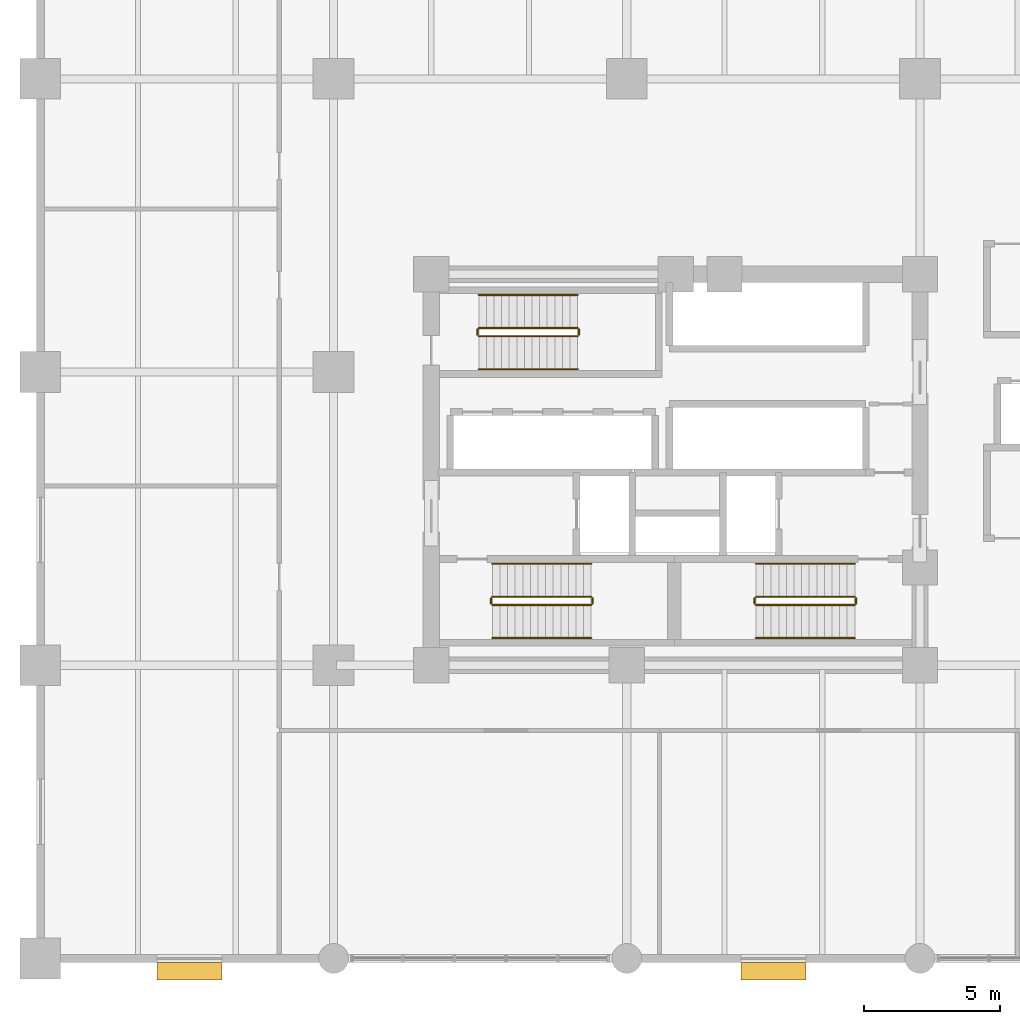
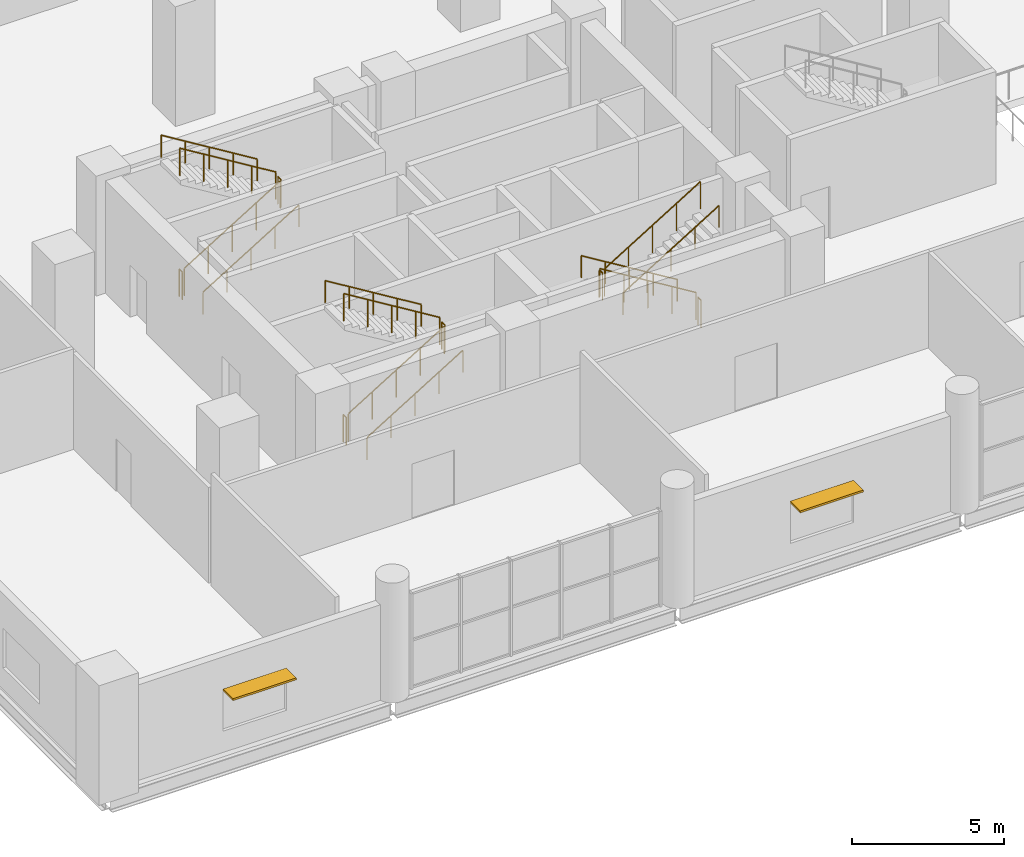
# One storey, part 14 of 16: 18 railings, 2 shading devices.
"""IFC4 building model written with IfcOpenShell, lengths in metres."""

from ifc_helpers import new_model, si_unit, direction, frame, origin, origin_2d, place, context, subcontext, project, spatial, rectangle, circle, extrude, material, layer, layer_set, type_object, element, save


model = new_model("IFC4")

# Units and contexts
model_context = context("Model", 3, precision=1e-05, world=origin(), true_north=direction((0.0, 1.0)))
body_context = subcontext(model_context, "Body", "Model", "MODEL_VIEW")
ifc_project = project(units=[si_unit("LENGTHUNIT", "METRE"), si_unit("AREAUNIT", "SQUARE_METRE"), si_unit("VOLUMEUNIT", "CUBIC_METRE"), si_unit("PLANEANGLEUNIT", "RADIAN"), si_unit("MASSUNIT", "GRAM", prefix="KILO")], contexts=[model_context])

# Site, building, storey
site_placement = place(None, origin())
site = spatial("IfcSite", under=ifc_project, at=site_placement, CompositionType="ELEMENT")
building_placement = place(site_placement, origin())
building = spatial("IfcBuilding", under=site, at=building_placement, Name="Solnavia Interchange Tower", CompositionType="ELEMENT")
storey_placement = place(building_placement, frame((0.0, 0.0, 5.39990234375)))
storey = spatial("IfcBuildingStorey", under=building, at=storey_placement, Name="L01", CompositionType="ELEMENT", Elevation=5.39990234375)

# Railings
ifc_material_1 = material(Name="Painted Steel Balustrade", Category="steel")
railing_type_1 = type_object("IfcRailingType", Name="Railing-StairGuard-1100", PredefinedType="GUARDRAIL", material=ifc_material_1)
railing_1_placement = place(storey_placement, frame((16.64990234375, 13.02001953125, 0.171630859375)))
element("IfcRailing", 1, at=railing_1_placement, inside=storey, type_object=railing_type_1, Name="L01 ST-1 stair guard 1", PredefinedType="GUARDRAIL", context=body_context, shape_type="SweptSolid", body=[
    extrude(circle(Radius=0.02392578125, at=origin_2d()), frame((0.0, 0.0, 1.09619140625), z_axis=(0.852865859571, 0.0, 0.52213008492), x_axis=(0.0, 1.0, 0.0)), (0.0, 0.0, 1.0), 4.26806640625),
    extrude(circle(Radius=0.02099609375, at=origin_2d()), origin(), (0.0, 0.0, 1.0), 1.072021484375),
    extrude(circle(Radius=0.02099609375, at=origin_2d()), frame((0.91015625, 0.0, 0.55712890625)), (0.0, 0.0, 1.0), 1.072021484375),
    extrude(circle(Radius=0.02099609375, at=origin_2d()), frame((1.820068359375, 0.0, 1.1142578125)), (0.0, 0.0, 1.0), 1.072021484375),
    extrude(circle(Radius=0.02099609375, at=origin_2d()), frame((2.72998046875, 0.0, 1.67138671875)), (0.0, 0.0, 1.0), 1.072021484375),
    extrude(circle(Radius=0.02099609375, at=origin_2d()), frame((3.64013671875, 0.0, 2.228515625)), (0.0, 0.0, 1.0), 1.072021484375),
])
railing_2_placement = place(storey_placement, frame((20.340087890625, 13.070068359375, 2.400146484375)))
element("IfcRailing", 2, at=railing_2_placement, inside=storey, type_object=railing_type_1, Name="L01 ST-1 stair guard 2", PredefinedType="GUARDRAIL", context=body_context, shape_type="SweptSolid", body=[
    extrude(circle(Radius=0.02392578125, at=origin_2d()), frame((0.0, 0.0, 1.09619140625), z_axis=(0.0, 1.0, 0.0), x_axis=(-1.0, 0.0, 0.0)), (0.0, 0.0, 1.0), 0.199951171875),
    extrude(circle(Radius=0.02099609375, at=origin_2d()), origin(), (0.0, 0.0, 1.0), 1.072021484375),
    extrude(circle(Radius=0.02099609375, at=origin_2d()), frame((0.0, 0.199951171875, 0.0)), (0.0, 0.0, 1.0), 1.072021484375),
])
railing_3_placement = place(storey_placement, frame((20.2900390625, 13.320068359375, 2.571533203125)))
element("IfcRailing", 3, at=railing_3_placement, inside=storey, type_object=railing_type_1, Name="L01 ST-1 stair guard 3", PredefinedType="GUARDRAIL", context=body_context, shape_type="SweptSolid", body=[
    extrude(circle(Radius=0.02392578125, at=origin_2d()), frame((0.0, 0.0, 1.09619140625), z_axis=(-0.852865859571, 0.0, 0.52213008492), x_axis=(0.0, -1.0, 0.0)), (0.0, 0.0, 1.0), 4.26806640625),
    extrude(circle(Radius=0.02099609375, at=origin_2d()), origin(), (0.0, 0.0, 1.0), 1.072021484375),
    extrude(circle(Radius=0.02099609375, at=origin_2d()), frame((-0.91015625, 0.0, 0.55712890625)), (0.0, 0.0, 1.0), 1.072021484375),
    extrude(circle(Radius=0.02099609375, at=origin_2d()), frame((-1.820068359375, 0.0, 1.1142578125)), (0.0, 0.0, 1.0), 1.072021484375),
    extrude(circle(Radius=0.02099609375, at=origin_2d()), frame((-2.72998046875, 0.0, 1.67138671875)), (0.0, 0.0, 1.0), 1.072021484375),
    extrude(circle(Radius=0.02099609375, at=origin_2d()), frame((-3.64013671875, 0.0, 2.228515625)), (0.0, 0.0, 1.0), 1.072021484375),
])
railing_4_placement = place(storey_placement, frame((16.60009765625, 13.070068359375, 0.0)))
element("IfcRailing", 4, at=railing_4_placement, inside=storey, type_object=railing_type_1, Name="L01 ST-1 stair guard 4", PredefinedType="GUARDRAIL", context=body_context, shape_type="SweptSolid", body=[
    extrude(circle(Radius=0.02392578125, at=origin_2d()), frame((0.0, 0.0, 1.09619140625), z_axis=(0.0, 1.0, 0.0), x_axis=(-1.0, 0.0, 0.0)), (0.0, 0.0, 1.0), 0.199951171875),
    extrude(circle(Radius=0.02099609375, at=origin_2d()), origin(), (0.0, 0.0, 1.0), 1.072021484375),
    extrude(circle(Radius=0.02099609375, at=origin_2d()), frame((0.0, 0.199951171875, 0.0)), (0.0, 0.0, 1.0), 1.072021484375),
])
railing_5_placement = place(storey_placement, frame((30.0, 13.320068359375, 0.171630859375)))
element("IfcRailing", 5, at=railing_5_placement, inside=storey, type_object=railing_type_1, Name="L01 ST-2 stair guard 1", PredefinedType="GUARDRAIL", context=body_context, shape_type="SweptSolid", body=[
    extrude(circle(Radius=0.02392578125, at=origin_2d()), frame((0.0, 0.0, 1.09619140625), z_axis=(-0.852850264322, 0.0, 0.5221555579), x_axis=(0.0, -1.0, 0.0)), (0.0, 0.0, 1.0), 4.267822265625),
    extrude(circle(Radius=0.02099609375, at=origin_2d()), origin(), (0.0, 0.0, 1.0), 1.072021484375),
    extrude(circle(Radius=0.02099609375, at=origin_2d()), frame((-0.909912109375, 0.0, 0.55712890625)), (0.0, 0.0, 1.0), 1.072021484375),
    extrude(circle(Radius=0.02099609375, at=origin_2d()), frame((-1.81982421875, 0.0, 1.1142578125)), (0.0, 0.0, 1.0), 1.072021484375),
    extrude(circle(Radius=0.02099609375, at=origin_2d()), frame((-2.72998046875, 0.0, 1.67138671875)), (0.0, 0.0, 1.0), 1.072021484375),
    extrude(circle(Radius=0.02099609375, at=origin_2d()), frame((-3.639892578125, 0.0, 2.228515625)), (0.0, 0.0, 1.0), 1.072021484375),
])
railing_6_placement = place(storey_placement, frame((26.31005859375, 13.27001953125, 2.400146484375)))
element("IfcRailing", 6, at=railing_6_placement, inside=storey, type_object=railing_type_1, Name="L01 ST-2 stair guard 2", PredefinedType="GUARDRAIL", context=body_context, shape_type="SweptSolid", body=[
    extrude(circle(Radius=0.02392578125, at=origin_2d()), frame((0.0, 0.0, 1.09619140625), z_axis=(0.0, -1.0, 0.0), x_axis=(1.0, 0.0, 0.0)), (0.0, 0.0, 1.0), 0.199951171875),
    extrude(circle(Radius=0.02099609375, at=origin_2d()), origin(), (0.0, 0.0, 1.0), 1.072021484375),
    extrude(circle(Radius=0.02099609375, at=origin_2d()), frame((0.0, -0.199951171875, 0.0)), (0.0, 0.0, 1.0), 1.072021484375),
])
railing_7_placement = place(storey_placement, frame((26.360107421875, 13.02001953125, 2.571533203125)))
element("IfcRailing", 7, at=railing_7_placement, inside=storey, type_object=railing_type_1, Name="L01 ST-2 stair guard 3", PredefinedType="GUARDRAIL", context=body_context, shape_type="SweptSolid", body=[
    extrude(circle(Radius=0.02392578125, at=origin_2d()), frame((0.0, 0.0, 1.09619140625), z_axis=(0.852850264322, 0.0, 0.5221555579), x_axis=(0.0, 1.0, 0.0)), (0.0, 0.0, 1.0), 4.267822265625),
    extrude(circle(Radius=0.02099609375, at=origin_2d()), origin(), (0.0, 0.0, 1.0), 1.072021484375),
    extrude(circle(Radius=0.02099609375, at=origin_2d()), frame((0.909912109375, 0.0, 0.55712890625)), (0.0, 0.0, 1.0), 1.072021484375),
    extrude(circle(Radius=0.02099609375, at=origin_2d()), frame((1.81982421875, 0.0, 1.1142578125)), (0.0, 0.0, 1.0), 1.072021484375),
    extrude(circle(Radius=0.02099609375, at=origin_2d()), frame((2.72998046875, 0.0, 1.67138671875)), (0.0, 0.0, 1.0), 1.072021484375),
    extrude(circle(Radius=0.02099609375, at=origin_2d()), frame((3.639892578125, 0.0, 2.228515625)), (0.0, 0.0, 1.0), 1.072021484375),
])
railing_8_placement = place(storey_placement, frame((30.050048828125, 13.27001953125, 0.0)))
element("IfcRailing", 8, at=railing_8_placement, inside=storey, type_object=railing_type_1, Name="L01 ST-2 stair guard 4", PredefinedType="GUARDRAIL", context=body_context, shape_type="SweptSolid", body=[
    extrude(circle(Radius=0.02392578125, at=origin_2d()), frame((0.0, 0.0, 1.09619140625), z_axis=(0.0, -1.0, 0.0), x_axis=(1.0, 0.0, 0.0)), (0.0, 0.0, 1.0), 0.199951171875),
    extrude(circle(Radius=0.02099609375, at=origin_2d()), origin(), (0.0, 0.0, 1.0), 1.072021484375),
    extrude(circle(Radius=0.02099609375, at=origin_2d()), frame((0.0, -0.199951171875, 0.0)), (0.0, 0.0, 1.0), 1.072021484375),
])
railing_9_placement = place(storey_placement, frame((16.14990234375, 22.919921875, 0.171630859375)))
element("IfcRailing", 9, at=railing_9_placement, inside=storey, type_object=railing_type_1, Name="L01 ST-3 stair guard 1", PredefinedType="GUARDRAIL", context=body_context, shape_type="SweptSolid", body=[
    extrude(circle(Radius=0.02392578125, at=origin_2d()), frame((0.0, 0.0, 1.09619140625), z_axis=(0.852865859571, 0.0, 0.52213008492), x_axis=(0.0, 1.0, 0.0)), (0.0, 0.0, 1.0), 4.26806640625),
    extrude(circle(Radius=0.02099609375, at=origin_2d()), origin(), (0.0, 0.0, 1.0), 1.072021484375),
    extrude(circle(Radius=0.02099609375, at=origin_2d()), frame((0.91015625, 0.0, 0.55712890625)), (0.0, 0.0, 1.0), 1.072021484375),
    extrude(circle(Radius=0.02099609375, at=origin_2d()), frame((1.820068359375, 0.0, 1.1142578125)), (0.0, 0.0, 1.0), 1.072021484375),
    extrude(circle(Radius=0.02099609375, at=origin_2d()), frame((2.72998046875, 0.0, 1.67138671875)), (0.0, 0.0, 1.0), 1.072021484375),
    extrude(circle(Radius=0.02099609375, at=origin_2d()), frame((3.64013671875, 0.0, 2.228515625)), (0.0, 0.0, 1.0), 1.072021484375),
])
railing_10_placement = place(storey_placement, frame((19.840087890625, 22.969970703125, 2.400146484375)))
element("IfcRailing", 10, at=railing_10_placement, inside=storey, type_object=railing_type_1, Name="L01 ST-3 stair guard 2", PredefinedType="GUARDRAIL", context=body_context, shape_type="SweptSolid", body=[
    extrude(circle(Radius=0.02392578125, at=origin_2d()), frame((0.0, 0.0, 1.09619140625), z_axis=(0.0, 1.0, 0.0), x_axis=(-1.0, 0.0, 0.0)), (0.0, 0.0, 1.0), 0.199951171875),
    extrude(circle(Radius=0.02099609375, at=origin_2d()), origin(), (0.0, 0.0, 1.0), 1.072021484375),
    extrude(circle(Radius=0.02099609375, at=origin_2d()), frame((0.0, 0.199951171875, 0.0)), (0.0, 0.0, 1.0), 1.072021484375),
])
railing_11_placement = place(storey_placement, frame((19.7900390625, 23.219970703125, 2.571533203125)))
element("IfcRailing", 11, at=railing_11_placement, inside=storey, type_object=railing_type_1, Name="L01 ST-3 stair guard 3", PredefinedType="GUARDRAIL", context=body_context, shape_type="SweptSolid", body=[
    extrude(circle(Radius=0.02392578125, at=origin_2d()), frame((0.0, 0.0, 1.09619140625), z_axis=(-0.852865859571, 0.0, 0.52213008492), x_axis=(0.0, -1.0, 0.0)), (0.0, 0.0, 1.0), 4.26806640625),
    extrude(circle(Radius=0.02099609375, at=origin_2d()), origin(), (0.0, 0.0, 1.0), 1.072021484375),
    extrude(circle(Radius=0.02099609375, at=origin_2d()), frame((-0.91015625, 0.0, 0.55712890625)), (0.0, 0.0, 1.0), 1.072021484375),
    extrude(circle(Radius=0.02099609375, at=origin_2d()), frame((-1.820068359375, 0.0, 1.1142578125)), (0.0, 0.0, 1.0), 1.072021484375),
    extrude(circle(Radius=0.02099609375, at=origin_2d()), frame((-2.72998046875, 0.0, 1.67138671875)), (0.0, 0.0, 1.0), 1.072021484375),
    extrude(circle(Radius=0.02099609375, at=origin_2d()), frame((-3.64013671875, 0.0, 2.228515625)), (0.0, 0.0, 1.0), 1.072021484375),
])
railing_12_placement = place(storey_placement, frame((16.10009765625, 22.969970703125, 0.0)))
element("IfcRailing", 12, at=railing_12_placement, inside=storey, type_object=railing_type_1, Name="L01 ST-3 stair guard 4", PredefinedType="GUARDRAIL", context=body_context, shape_type="SweptSolid", body=[
    extrude(circle(Radius=0.02392578125, at=origin_2d()), frame((0.0, 0.0, 1.09619140625), z_axis=(0.0, 1.0, 0.0), x_axis=(-1.0, 0.0, 0.0)), (0.0, 0.0, 1.0), 0.199951171875),
    extrude(circle(Radius=0.02099609375, at=origin_2d()), origin(), (0.0, 0.0, 1.0), 1.072021484375),
    extrude(circle(Radius=0.02099609375, at=origin_2d()), frame((0.0, 0.199951171875, 0.0)), (0.0, 0.0, 1.0), 1.072021484375),
])
ifc_material_2 = material(Name="Brushed Stainless Steel", Category="steel")
railing_type_2 = type_object("IfcRailingType", Name="Railing-StairHandrail-900", PredefinedType="HANDRAIL", material=ifc_material_2)
railing_13_placement = place(storey_placement, frame((16.64990234375, 11.800048828125, 0.171630859375)))
element("IfcRailing", 13, at=railing_13_placement, inside=storey, type_object=railing_type_2, Name="L01 ST-1 stair handrail 1", PredefinedType="HANDRAIL", context=body_context, shape_type="SweptSolid", body=[
    extrude(circle(Radius=0.02392578125, at=origin_2d()), frame((0.0, 0.0, 0.8759765625), z_axis=(0.852865859571, 0.0, 0.52213008492), x_axis=(0.0, 1.0, 0.0)), (0.0, 0.0, 1.0), 4.26806640625),
    extrude(circle(Radius=0.02099609375, at=origin_2d()), origin(), (0.0, 0.0, 1.0), 0.851806640625),
    extrude(circle(Radius=0.02099609375, at=origin_2d()), frame((0.91015625, 0.0, 0.55712890625)), (0.0, 0.0, 1.0), 0.851806640625),
    extrude(circle(Radius=0.02099609375, at=origin_2d()), frame((1.820068359375, 0.0, 1.1142578125)), (0.0, 0.0, 1.0), 0.851806640625),
    extrude(circle(Radius=0.02099609375, at=origin_2d()), frame((2.72998046875, 0.0, 1.67138671875)), (0.0, 0.0, 1.0), 0.851806640625),
    extrude(circle(Radius=0.02099609375, at=origin_2d()), frame((3.64013671875, 0.0, 2.228515625)), (0.0, 0.0, 1.0), 0.851806640625),
])
railing_14_placement = place(storey_placement, frame((20.2900390625, 14.5400390625, 2.571533203125)))
element("IfcRailing", 14, at=railing_14_placement, inside=storey, type_object=railing_type_2, Name="L01 ST-1 stair handrail 2", PredefinedType="HANDRAIL", context=body_context, shape_type="SweptSolid", body=[
    extrude(circle(Radius=0.02392578125, at=origin_2d()), frame((0.0, 0.0, 0.8759765625), z_axis=(-0.852865859571, 0.0, 0.52213008492), x_axis=(0.0, -1.0, 0.0)), (0.0, 0.0, 1.0), 4.26806640625),
    extrude(circle(Radius=0.02099609375, at=origin_2d()), origin(), (0.0, 0.0, 1.0), 0.851806640625),
    extrude(circle(Radius=0.02099609375, at=origin_2d()), frame((-0.91015625, 0.0, 0.55712890625)), (0.0, 0.0, 1.0), 0.851806640625),
    extrude(circle(Radius=0.02099609375, at=origin_2d()), frame((-1.820068359375, 0.0, 1.1142578125)), (0.0, 0.0, 1.0), 0.851806640625),
    extrude(circle(Radius=0.02099609375, at=origin_2d()), frame((-2.72998046875, 0.0, 1.67138671875)), (0.0, 0.0, 1.0), 0.851806640625),
    extrude(circle(Radius=0.02099609375, at=origin_2d()), frame((-3.64013671875, 0.0, 2.228515625)), (0.0, 0.0, 1.0), 0.851806640625),
])
railing_15_placement = place(storey_placement, frame((30.0, 14.5400390625, 0.171630859375)))
element("IfcRailing", 15, at=railing_15_placement, inside=storey, type_object=railing_type_2, Name="L01 ST-2 stair handrail 1", PredefinedType="HANDRAIL", context=body_context, shape_type="SweptSolid", body=[
    extrude(circle(Radius=0.02392578125, at=origin_2d()), frame((0.0, 0.0, 0.8759765625), z_axis=(-0.852850264322, 0.0, 0.5221555579), x_axis=(0.0, -1.0, 0.0)), (0.0, 0.0, 1.0), 4.267822265625),
    extrude(circle(Radius=0.02099609375, at=origin_2d()), origin(), (0.0, 0.0, 1.0), 0.851806640625),
    extrude(circle(Radius=0.02099609375, at=origin_2d()), frame((-0.909912109375, 0.0, 0.55712890625)), (0.0, 0.0, 1.0), 0.851806640625),
    extrude(circle(Radius=0.02099609375, at=origin_2d()), frame((-1.81982421875, 0.0, 1.1142578125)), (0.0, 0.0, 1.0), 0.851806640625),
    extrude(circle(Radius=0.02099609375, at=origin_2d()), frame((-2.72998046875, 0.0, 1.67138671875)), (0.0, 0.0, 1.0), 0.851806640625),
    extrude(circle(Radius=0.02099609375, at=origin_2d()), frame((-3.639892578125, 0.0, 2.228515625)), (0.0, 0.0, 1.0), 0.851806640625),
])
railing_16_placement = place(storey_placement, frame((26.360107421875, 11.800048828125, 2.571533203125)))
element("IfcRailing", 16, at=railing_16_placement, inside=storey, type_object=railing_type_2, Name="L01 ST-2 stair handrail 2", PredefinedType="HANDRAIL", context=body_context, shape_type="SweptSolid", body=[
    extrude(circle(Radius=0.02392578125, at=origin_2d()), frame((0.0, 0.0, 0.8759765625), z_axis=(0.852850264322, 0.0, 0.5221555579), x_axis=(0.0, 1.0, 0.0)), (0.0, 0.0, 1.0), 4.267822265625),
    extrude(circle(Radius=0.02099609375, at=origin_2d()), origin(), (0.0, 0.0, 1.0), 0.851806640625),
    extrude(circle(Radius=0.02099609375, at=origin_2d()), frame((0.909912109375, 0.0, 0.55712890625)), (0.0, 0.0, 1.0), 0.851806640625),
    extrude(circle(Radius=0.02099609375, at=origin_2d()), frame((1.81982421875, 0.0, 1.1142578125)), (0.0, 0.0, 1.0), 0.851806640625),
    extrude(circle(Radius=0.02099609375, at=origin_2d()), frame((2.72998046875, 0.0, 1.67138671875)), (0.0, 0.0, 1.0), 0.851806640625),
    extrude(circle(Radius=0.02099609375, at=origin_2d()), frame((3.639892578125, 0.0, 2.228515625)), (0.0, 0.0, 1.0), 0.851806640625),
])
railing_17_placement = place(storey_placement, frame((16.14990234375, 21.699951171875, 0.171630859375)))
element("IfcRailing", 17, at=railing_17_placement, inside=storey, type_object=railing_type_2, Name="L01 ST-3 stair handrail 1", PredefinedType="HANDRAIL", context=body_context, shape_type="SweptSolid", body=[
    extrude(circle(Radius=0.02392578125, at=origin_2d()), frame((0.0, 0.0, 0.8759765625), z_axis=(0.852865859571, 0.0, 0.52213008492), x_axis=(0.0, 1.0, 0.0)), (0.0, 0.0, 1.0), 4.26806640625),
    extrude(circle(Radius=0.02099609375, at=origin_2d()), origin(), (0.0, 0.0, 1.0), 0.851806640625),
    extrude(circle(Radius=0.02099609375, at=origin_2d()), frame((0.91015625, 0.0, 0.55712890625)), (0.0, 0.0, 1.0), 0.851806640625),
    extrude(circle(Radius=0.02099609375, at=origin_2d()), frame((1.820068359375, 0.0, 1.1142578125)), (0.0, 0.0, 1.0), 0.851806640625),
    extrude(circle(Radius=0.02099609375, at=origin_2d()), frame((2.72998046875, 0.0, 1.67138671875)), (0.0, 0.0, 1.0), 0.851806640625),
    extrude(circle(Radius=0.02099609375, at=origin_2d()), frame((3.64013671875, 0.0, 2.228515625)), (0.0, 0.0, 1.0), 0.851806640625),
])
railing_18_placement = place(storey_placement, frame((19.7900390625, 24.43994140625, 2.571533203125)))
element("IfcRailing", 18, at=railing_18_placement, inside=storey, type_object=railing_type_2, Name="L01 ST-3 stair handrail 2", PredefinedType="HANDRAIL", context=body_context, shape_type="SweptSolid", body=[
    extrude(circle(Radius=0.02392578125, at=origin_2d()), frame((0.0, 0.0, 0.8759765625), z_axis=(-0.852865859571, 0.0, 0.52213008492), x_axis=(0.0, -1.0, 0.0)), (0.0, 0.0, 1.0), 4.26806640625),
    extrude(circle(Radius=0.02099609375, at=origin_2d()), origin(), (0.0, 0.0, 1.0), 0.851806640625),
    extrude(circle(Radius=0.02099609375, at=origin_2d()), frame((-0.91015625, 0.0, 0.55712890625)), (0.0, 0.0, 1.0), 0.851806640625),
    extrude(circle(Radius=0.02099609375, at=origin_2d()), frame((-1.820068359375, 0.0, 1.1142578125)), (0.0, 0.0, 1.0), 0.851806640625),
    extrude(circle(Radius=0.02099609375, at=origin_2d()), frame((-2.72998046875, 0.0, 1.67138671875)), (0.0, 0.0, 1.0), 0.851806640625),
    extrude(circle(Radius=0.02099609375, at=origin_2d()), frame((-3.64013671875, 0.0, 2.228515625)), (0.0, 0.0, 1.0), 0.851806640625),
])

# Shading devices
ifc_material_3 = material(Name="Anodised Aluminium Sunshade", Category="aluminium")
ifc_layer = layer(ifc_material_3, 0.080078125)
ifc_layer_set = layer_set([ifc_layer], Name="Anodised Aluminium Sunshade")
shading_device_type = type_object("IfcShadingDeviceType", Name="Sunshade-Band-650", PredefinedType="SHUTTER", material=ifc_layer_set)
for number, where, z_axis, x_axis, name in (
    (19, (5.5, -0.469970703125, 2.4599609375), (0.0, 0.0, 1.0), (1.0, 0.0, 0.0), "SHD-L01-S01 South horizontal sunshade band"),
    (20, (27.0, -0.469970703125, 2.4599609375), (0.0, 0.0, 1.0), (1.0, 0.0, 0.0), "SHD-L01-S03 South horizontal sunshade band"),
):
    element("IfcShadingDevice", number, at=place(storey_placement, frame(where, z_axis=z_axis, x_axis=x_axis)), inside=storey, type_object=shading_device_type, Name=name, PredefinedType="SHUTTER", context=body_context, shape_type="SweptSolid", body=[
        extrude(rectangle(XDim=2.39990234375, YDim=0.64990234375, at=origin_2d()), origin(), (0.0, 0.0, 1.0), 0.080078125),
    ])

save(model, "model.ifc")
